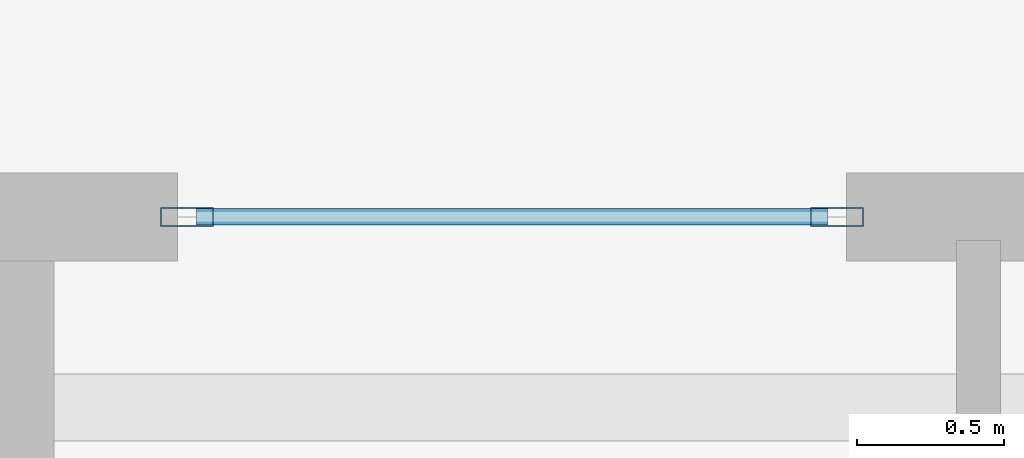
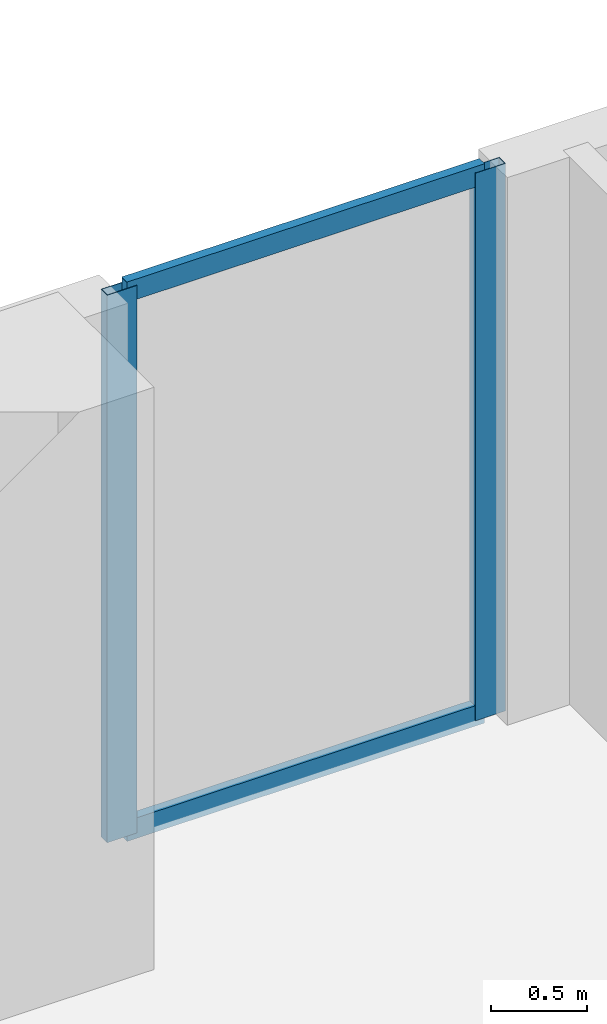
# One storey, part 13 of 26: 4 members, 1 element without a shape of its own.
"""IFC4 building model written with IfcOpenShell, lengths in metres."""

import ifcopenshell
import ifcopenshell.guid

model = None  # the IFC model being written
_history = None  # IfcOwnerHistory: only IFC2X3 demands one
_inside = {}  # id of a spatial element -> (the spatial element, [elements in it])
_under = {}  # id of a project, library or spatial element -> (it, [spatial elements below it])
_declared = {}  # id of a project -> (the project, [libraries it declares])
_typed = {}  # id of a type object -> (the type object, [elements of that type])
_made_of = {}  # id of a material, layer set ... -> (it, [elements and type objects made of it])


def new_model(schema):
    """Start an empty IFC model of exactly this schema.

    Asked for "IFC4X3", IfcOpenShell would pick the latest addendum, in which some entities
    have other attributes; the version numbers below select the first issue.
    IFC2X3 requires an IfcOwnerHistory on every rooted entity: one is made here for all.
    """
    global model, _history
    if schema == "IFC4X3":
        model = ifcopenshell.file(schema_version=(4, 3, 0, 0))
    else:
        model = ifcopenshell.file(schema=schema)
    _inside.clear()
    _under.clear()
    _declared.clear()
    _typed.clear()
    _made_of.clear()
    _history = None
    if model.schema == "IFC2X3":
        org = make("IfcOrganization", Name="unknown")
        user = make(
            "IfcPersonAndOrganization",
            ThePerson=make("IfcPerson", FamilyName="unknown"),
            TheOrganization=org,
        )
        app = make(
            "IfcApplication",
            ApplicationDeveloper=org,
            Version="unknown",
            ApplicationFullName="unknown",
            ApplicationIdentifier="unknown",
        )
        _history = make(
            "IfcOwnerHistory",
            OwningUser=user,
            OwningApplication=app,
            ChangeAction="ADDED",
            CreationDate=0,
        )
    return model


def make(cls, **values):
    """One entity of the class cls with the attributes given. An attribute that is None is left unset."""
    return model.create_entity(
        cls, **{name: value for name, value in values.items() if value is not None}
    )


def rooted(cls, **values):
    """An entity with a GlobalId (a new one), such as an element, a storey or a relation."""
    return make(cls, GlobalId=ifcopenshell.guid.new(), OwnerHistory=_history, **values)


def si_unit(unit_type, name, prefix=None):
    """IfcSIUnit, for example si_unit("LENGTHUNIT", "METRE", prefix="MILLI")."""
    return make("IfcSIUnit", UnitType=unit_type, Prefix=prefix, Name=name)


def assignment(units):
    """IfcUnitAssignment: the units of a project."""
    return None if units is None else make("IfcUnitAssignment", Units=units)


def point(xyz):
    """IfcCartesianPoint."""
    return None if xyz is None else make("IfcCartesianPoint", Coordinates=xyz)


def direction(xyz):
    """IfcDirection."""
    return None if xyz is None else make("IfcDirection", DirectionRatios=xyz)


def frame(location, z_axis=None, x_axis=None):
    """IfcAxis2Placement3D, a coordinate frame: its origin and axes. An axis left out is left unset."""
    return make(
        "IfcAxis2Placement3D",
        Location=point(location),
        Axis=direction(z_axis),
        RefDirection=direction(x_axis),
    )


def frame_2d(location, x_axis=None):
    """IfcAxis2Placement2D, a coordinate frame in the plane: its origin and x axis."""
    return make(
        "IfcAxis2Placement2D", Location=point(location), RefDirection=direction(x_axis)
    )


def origin():
    """The frame at (0, 0, 0) with its axes left unset."""
    return frame((0.0, 0.0, 0.0))


def origin_2d():
    """The frame at (0, 0) in the plane with its x axis left unset."""
    return frame_2d((0.0, 0.0))


def place(relative_to, where):
    """IfcLocalPlacement: puts the frame where relative to a parent placement (None: the world)."""
    return make(
        "IfcLocalPlacement", PlacementRelTo=relative_to, RelativePlacement=where
    )


def context(
    kind, dimensions, precision=None, world=None, true_north=None, identifier=None
):
    """IfcGeometricRepresentationContext, for example the 3D "Model" context."""
    return make(
        "IfcGeometricRepresentationContext",
        ContextIdentifier=identifier,
        ContextType=kind,
        CoordinateSpaceDimension=dimensions,
        Precision=precision,
        WorldCoordinateSystem=world,
        TrueNorth=true_north,
    )


def subcontext(parent, identifier, kind, view, scale=None):
    """IfcGeometricRepresentationSubContext, for example "Body" below "Model"."""
    return make(
        "IfcGeometricRepresentationSubContext",
        ContextIdentifier=identifier,
        ContextType=kind,
        ParentContext=parent,
        TargetScale=scale,
        TargetView=view,
    )


def project(units=None, contexts=None):
    """IfcProject with its units and contexts."""
    return rooted(
        "IfcProject",
        Name="project",
        RepresentationContexts=contexts,
        UnitsInContext=assignment(units),
    )


def spatial(cls, under=None, at=None, **own):
    """A site, building, storey or space (cls), placed at a placement, below another one or the project."""
    s = rooted(cls, ObjectPlacement=at, **own)
    if under is not None:
        _under.setdefault(under.id(), (under, []))[1].append(s)
    return s


def profile(cls, at=None, kind="AREA", **sizes):
    """A parametric profile (cls). Its sizes go by their IFC names, for example OverallWidth=200.0."""
    return make(cls, ProfileType=kind, Position=at, **sizes)


def hollow_rectangle(**sizes):
    """IfcRectangleHollowProfileDef."""
    return profile("IfcRectangleHollowProfileDef", **sizes)


def extrude(swept, where, along, depth):
    """IfcExtrudedAreaSolid: the profile swept, set in the frame where, extruded along a direction by depth."""
    return make(
        "IfcExtrudedAreaSolid",
        SweptArea=swept,
        Position=where,
        ExtrudedDirection=direction(along),
        Depth=depth,
    )


def shape(context_of_items, identifier, shape_type, items):
    """IfcShapeRepresentation: the items that make up one representation, for example the "Body"."""
    return make(
        "IfcShapeRepresentation",
        ContextOfItems=context_of_items,
        RepresentationIdentifier=identifier,
        RepresentationType=shape_type,
        Items=items,
    )


def material(Name=None, Category=None):
    """IfcMaterial."""
    return make("IfcMaterial", Name=Name, Category=Category)


def layer(
    of_material, thickness, ventilated=None, Name=None, Category=None, Priority=None
):
    """IfcMaterialLayer: one layer of a wall or slab, of a material (None: an air gap)."""
    return make(
        "IfcMaterialLayer",
        Material=of_material,
        LayerThickness=thickness,
        IsVentilated=ventilated,
        Name=Name,
        Category=Category,
        Priority=Priority,
    )


def layer_set(layers, Name=None):
    """IfcMaterialLayerSet."""
    return make("IfcMaterialLayerSet", MaterialLayers=layers, LayerSetName=Name)


def material_profile(
    of_material, cross_section, Name=None, Category=None, Priority=None
):
    """IfcMaterialProfile: a cross section and its material."""
    return make(
        "IfcMaterialProfile",
        Name=Name,
        Material=of_material,
        Profile=cross_section,
        Priority=Priority,
        Category=Category,
    )


def profile_set(profiles, Name=None, composite=None):
    """IfcMaterialProfileSet."""
    return make(
        "IfcMaterialProfileSet",
        Name=Name,
        MaterialProfiles=profiles,
        CompositeProfile=composite,
    )


def made_of(thing, what):
    """Note that an element or type object is made of a material, layer set ...; save() writes the relation."""
    if what is not None:
        _made_of.setdefault(what.id(), (what, []))[1].append(thing)
    return thing


def type_object(cls, material=None, **own):
    """A type object (cls), such as IfcWallType, which elements share."""
    return made_of(rooted(cls, **own), material)


def element(
    cls,
    number,
    at=None,
    inside=None,
    cuts=None,
    type_object=None,
    material=None,
    context=None,
    identifier="Body",
    shape_type=None,
    held_by="IfcProductDefinitionShape",
    body=None,
    shapes=None,
    **own,
):
    """One element of the class cls, such as IfcWall. Its Tag is "e" and its number.

    at: its placement. inside: the storey or other place that contains it. cuts: it is an
    opening in that element (IfcRelVoidsElement). A single representation is given by context,
    identifier, shape_type and body (its items); several are given by shapes. held_by: the class
    of the entity that holds the representations. save() writes the other relations.
    """
    e = rooted(cls, Tag="e%d" % number, ObjectPlacement=at, **own)
    if body is not None:
        shapes = [shape(context, identifier, shape_type, body)]
    if shapes is not None:
        e.Representation = make(held_by, Representations=shapes)
    if inside is not None:
        _inside.setdefault(inside.id(), (inside, []))[1].append(e)
    if cuts is not None:
        rooted(
            "IfcRelVoidsElement", RelatingBuildingElement=cuts, RelatedOpeningElement=e
        )
    if type_object is not None:
        _typed.setdefault(type_object.id(), (type_object, []))[1].append(e)
    return made_of(e, material)


def aggregate(whole, parts):
    """IfcRelAggregates: a whole, such as a stair, and the parts it consists of."""
    return rooted("IfcRelAggregates", RelatingObject=whole, RelatedObjects=parts)


def save(model, path):
    """Write the relations noted so far, then the file.

    IfcRelAggregates (storeys below a building ...), IfcRelContainedInSpatialStructure (elements
    in a storey), IfcRelDefinesByType, IfcRelAssociatesMaterial and IfcRelDeclares: one each for
    every whole, place, type object, material and project.
    """
    for whole, parts in _under.values():
        aggregate(whole, parts)
    for where, things in _inside.values():
        rooted(
            "IfcRelContainedInSpatialStructure",
            RelatedElements=things,
            RelatingStructure=where,
        )
    for kind, things in _typed.values():
        rooted("IfcRelDefinesByType", RelatedObjects=things, RelatingType=kind)
    for what, things in _made_of.values():
        rooted("IfcRelAssociatesMaterial", RelatedObjects=things, RelatingMaterial=what)
    for by, libraries in _declared.values():
        rooted("IfcRelDeclares", RelatingContext=by, RelatedDefinitions=libraries)
    model.write(path)


model = new_model("IFC4")

# Units and contexts
model_context = context("Model", 3, precision=1e-05, world=origin(), true_north=direction((0.0, 1.0)))
body_context = subcontext(model_context, "Body", "Model", "MODEL_VIEW")
ifc_project = project(units=[si_unit("LENGTHUNIT", "METRE"), si_unit("AREAUNIT", "SQUARE_METRE"), si_unit("VOLUMEUNIT", "CUBIC_METRE"), si_unit("PLANEANGLEUNIT", "RADIAN"), si_unit("MASSUNIT", "GRAM", prefix="KILO")], contexts=[model_context])

# Site, building, storey
site_placement = place(None, origin())
site = spatial("IfcSite", under=ifc_project, at=site_placement, CompositionType="ELEMENT")
building_placement = place(site_placement, origin())
building = spatial("IfcBuilding", under=site, at=building_placement, Name="Zuhayl Quay Hotel", CompositionType="ELEMENT")
storey_placement = place(building_placement, frame((0.0, 0.0, 254.449951171875)))
storey = spatial("IfcBuildingStorey", under=building, at=storey_placement, Name="L64", CompositionType="ELEMENT", Elevation=254.449951171875)

# Curtain wall, members
ifc_material_1 = material(Name="Anodised Aluminium 6063-T6", Category="aluminium")
ifc_layer = layer(ifc_material_1, 0.169921875, Name="Anodised Aluminium 6063-T6", Category="aluminium")
ifc_layer_set = layer_set([ifc_layer], Name="Anodised Aluminium 6063-T6")
curtain_wall_type = type_object("IfcCurtainWallType", Name="CW_SYS_Z4", PredefinedType="USERDEFINED", material=ifc_layer_set)
curtain_wall_placement = place(storey_placement, origin())
curtain_wall = element("IfcCurtainWall", 1, at=curtain_wall_placement, inside=storey, type_object=curtain_wall_type, Name="L64 Curtain Wall ENV_L64_N_CW1", ObjectType="UNITISED CURTAIN WALL", PredefinedType="USERDEFINED")
ifc_material_2 = material(Name="Black-anodised aluminium 6063-T6", Category="aluminium")
ifc_material_profile_1 = material_profile(ifc_material_2, hollow_rectangle(XDim=0.06494140625, YDim=0.179931640625, WallThickness=0.00341796875, at=origin_2d()), Name="ALU180X65")
ifc_profile_set_1 = profile_set([ifc_material_profile_1], Name="Black-anodised aluminium 6063-T6")
member_type_1 = type_object("IfcMemberType", Name="MB_CW_MUL_180", PredefinedType="MULLION", material=ifc_profile_set_1)
member_1_placement = place(storey_placement, frame((-12.847412109375, 39.0, 0.0), z_axis=(0.0, 0.0, 1.0), x_axis=(0.0, 1.0, 0.0)))
member_1 = element("IfcMember", 2, at=member_1_placement, type_object=member_type_1, Name="CW-Z4 mullion 1", PredefinedType="MULLION", context=body_context, shape_type="SweptSolid", body=[
    extrude(hollow_rectangle(XDim=0.06494140625, YDim=0.179931640625, WallThickness=0.00341796875, at=origin_2d()), origin(), (0.0, 0.0, 1.0), 3.47998046875),
])
member_2_placement = place(storey_placement, frame((-10.632568359375, 39.0, 0.0), z_axis=(0.0, 0.0, 1.0), x_axis=(0.0, 1.0, 0.0)))
member_2 = element("IfcMember", 3, at=member_2_placement, type_object=member_type_1, Name="CW-Z4 mullion 2", PredefinedType="MULLION", context=body_context, shape_type="SweptSolid", body=[
    extrude(hollow_rectangle(XDim=0.06494140625, YDim=0.179931640625, WallThickness=0.00341796875, at=origin_2d()), origin(), (0.0, 0.0, 1.0), 3.47998046875),
])
ifc_material_profile_2 = material_profile(ifc_material_2, hollow_rectangle(XDim=0.054931640625, YDim=0.1298828125, WallThickness=0.0029296875, at=origin_2d()), Name="ALU130X55")
ifc_profile_set_2 = profile_set([ifc_material_profile_2], Name="Black-anodised aluminium 6063-T6")
member_type_2 = type_object("IfcMemberType", Name="MB_CW_TRN_130", PredefinedType="USERDEFINED", material=ifc_profile_set_2)
member_3_placement = place(storey_placement, frame((-12.81494140625, 39.0, 0.027587890625), z_axis=(1.0, 0.0, 0.0), x_axis=(0.0, 1.0, 0.0)))
member_3 = element("IfcMember", 4, at=member_3_placement, type_object=member_type_2, Name="CW-Z4 transom 1.1", ObjectType="TRANSOM", PredefinedType="USERDEFINED", context=body_context, shape_type="SweptSolid", body=[
    extrude(hollow_rectangle(XDim=0.054931640625, YDim=0.1298828125, WallThickness=0.0029296875, at=origin_2d()), origin(), (0.0, 0.0, 1.0), 2.14990234375),
])
member_4_placement = place(storey_placement, frame((-12.81494140625, 39.0, 3.45263671875), z_axis=(1.0, 0.0, 0.0), x_axis=(0.0, 1.0, 0.0)))
member_4 = element("IfcMember", 5, at=member_4_placement, type_object=member_type_2, Name="CW-Z4 transom 1.2", ObjectType="TRANSOM", PredefinedType="USERDEFINED", context=body_context, shape_type="SweptSolid", body=[
    extrude(hollow_rectangle(XDim=0.054931640625, YDim=0.1298828125, WallThickness=0.0029296875, at=origin_2d()), origin(), (0.0, 0.0, 1.0), 2.14990234375),
])
aggregate(curtain_wall, [member_1, member_2, member_3, member_4])

save(model, "model.ifc")
